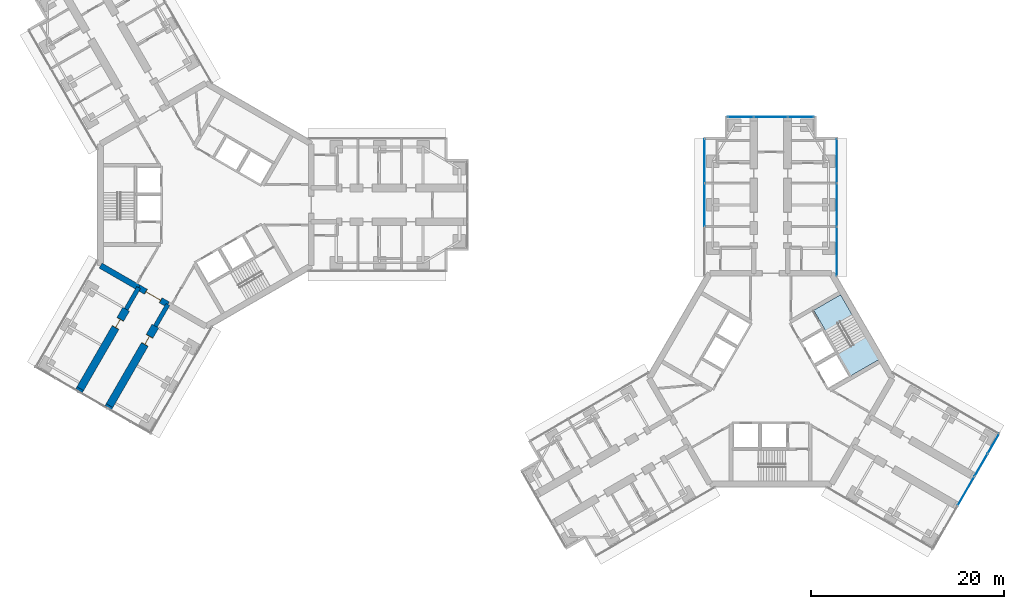
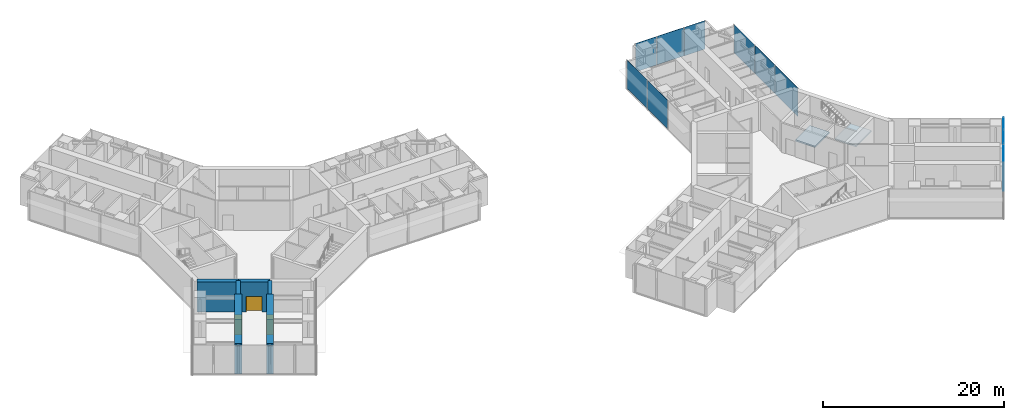
# One storey, part 14 of 22: 11 plates, 8 walls, 3 doors, 2 slabs, 3 openings, 5 elements without a shape of their own.
"""IFC4 building model written with IfcOpenShell, lengths in metres."""

from ifc_helpers import new_model, si_unit, direction, frame, frame_2d, origin, origin_2d, place, context, subcontext, project, spatial, polyline, rectangle, outline, extrude, material, layer, layer_set, type_object, element, fill, aggregate, save


model = new_model("IFC4")

# Units and contexts
model_context = context("Model", 3, precision=1e-05, world=origin(), true_north=direction((0.0, 1.0)))
body_context = subcontext(model_context, "Body", "Model", "MODEL_VIEW")
ifc_project = project(units=[si_unit("LENGTHUNIT", "METRE"), si_unit("AREAUNIT", "SQUARE_METRE"), si_unit("VOLUMEUNIT", "CUBIC_METRE"), si_unit("PLANEANGLEUNIT", "RADIAN"), si_unit("MASSUNIT", "GRAM", prefix="KILO")], contexts=[model_context])

# Site, building, storey
site_placement = place(None, origin())
site = spatial("IfcSite", under=ifc_project, at=site_placement, CompositionType="ELEMENT")
building_placement = place(site_placement, origin())
building = spatial("IfcBuilding", under=site, at=building_placement, Name="Upepo Twin Towers", CompositionType="ELEMENT")
storey_placement = place(building_placement, frame((0.0, 0.0, 137.5)))
storey = spatial("IfcBuildingStorey", under=building, at=storey_placement, Name="L33", CompositionType="ELEMENT", Elevation=137.5)

# Curtain wall, plates
ifc_material_1 = material(Name="Aluminium and fritted glass", Category="aluminium")
curtain_wall_type = type_object("IfcCurtainWallType", Name="Tower curtain wall TW2, fritted glass", PredefinedType="NOTDEFINED", material=ifc_material_1)
curtain_wall_1_placement = place(storey_placement, origin())
curtain_wall_1 = element("IfcCurtainWall", 1, at=curtain_wall_1_placement, inside=storey, type_object=curtain_wall_type, Name="T2 L33 wing A flank L curtain wall", PredefinedType="NOTDEFINED")
ifc_material_2 = material(Name="Ceramic-fritted laminated glass", Category="glass")
ifc_layer_1 = layer(ifc_material_2, 0.031982421875)
ifc_layer_set_1 = layer_set([ifc_layer_1], Name="Fritted glass panel, 40 per cent dot frit, 32 mm double glazed")
plate_type_1 = type_object("IfcPlateType", Name="Fritted glass panel, 40 per cent dot frit, 32 mm double glazed", PredefinedType="CURTAIN_PANEL", material=ifc_layer_set_1)
plate_1_placement = place(storey_placement, frame((51.64990234375, 0.0, 0.14990234375), z_axis=(0.0, 0.0, 1.0), x_axis=(0.0, 1.0, 0.0)))
plate_1 = element("IfcPlate", 2, at=plate_1_placement, type_object=plate_type_1, Name="T2 L33 wing A flank L curtain wall panel 2", PredefinedType="CURTAIN_PANEL", context=body_context, shape_type="SweptSolid", body=[
    extrude(rectangle(XDim=4.43505859375, YDim=0.031982421875, at=origin_2d()), origin(), (0.0, 0.0, 1.0), 3.85009765625),
])
plate_2_placement = place(storey_placement, frame((51.64990234375, 4.53369140625, 0.14990234375), z_axis=(0.0, 0.0, 1.0), x_axis=(0.0, 1.0, 0.0)))
plate_2 = element("IfcPlate", 3, at=plate_2_placement, type_object=plate_type_1, Name="T2 L33 wing A flank L curtain wall panel 3", PredefinedType="CURTAIN_PANEL", context=body_context, shape_type="SweptSolid", body=[
    extrude(rectangle(XDim=4.50244140625, YDim=0.031982421875, at=origin_2d()), origin(), (0.0, 0.0, 1.0), 3.85009765625),
])
aggregate(curtain_wall_1, [plate_1, plate_2])

curtain_wall_2_placement = place(storey_placement, origin())
curtain_wall_2 = element("IfcCurtainWall", 4, at=curtain_wall_2_placement, inside=storey, type_object=curtain_wall_type, Name="T2 L33 wing A flank R curtain wall", PredefinedType="NOTDEFINED")
plate_3_placement = place(storey_placement, frame((65.35009765625, 4.53369140625, 0.14990234375), z_axis=(0.0, 0.0, 1.0), x_axis=(0.0, -1.0, 0.0)))
plate_3 = element("IfcPlate", 5, at=plate_3_placement, type_object=plate_type_1, Name="T2 L33 wing A flank R curtain wall panel 1", PredefinedType="CURTAIN_PANEL", context=body_context, shape_type="SweptSolid", body=[
    extrude(rectangle(XDim=4.50244140625, YDim=0.031982421875, at=origin_2d()), origin(), (0.0, 0.0, 1.0), 3.85009765625),
])
plate_4_placement = place(storey_placement, frame((65.35009765625, 0.0, 0.14990234375), z_axis=(0.0, 0.0, 1.0), x_axis=(0.0, -1.0, 0.0)))
plate_4 = element("IfcPlate", 6, at=plate_4_placement, type_object=plate_type_1, Name="T2 L33 wing A flank R curtain wall panel 2", PredefinedType="CURTAIN_PANEL", context=body_context, shape_type="SweptSolid", body=[
    extrude(rectangle(XDim=4.43505859375, YDim=0.031982421875, at=origin_2d()), origin(), (0.0, 0.0, 1.0), 3.85009765625),
])
plate_5_placement = place(storey_placement, frame((65.35009765625, -4.815185546875, 0.14990234375), z_axis=(0.0, 0.0, 1.0), x_axis=(0.0, -1.0, 0.0)))
plate_5 = element("IfcPlate", 7, at=plate_5_placement, type_object=plate_type_1, Name="T2 L33 wing A flank R curtain wall panel 3", PredefinedType="CURTAIN_PANEL", context=body_context, shape_type="SweptSolid", body=[
    extrude(rectangle(XDim=5.0654296875, YDim=0.031982421875, at=origin_2d()), origin(), (0.0, 0.0, 1.0), 3.85009765625),
])
aggregate(curtain_wall_2, [plate_3, plate_4, plate_5])

# Curtain wall, plate
curtain_wall_3_placement = place(storey_placement, origin())
curtain_wall_3 = element("IfcCurtainWall", 8, at=curtain_wall_3_placement, inside=storey, type_object=curtain_wall_type, Name="T2 L33 wing A nose curtain wall", PredefinedType="NOTDEFINED")
plate_6_placement = place(storey_placement, frame((58.5, 9.10009765625, 0.14990234375), z_axis=(0.0, 0.0, 1.0), x_axis=(-1.0, 0.0, 0.0)))
plate_6 = element("IfcPlate", 9, at=plate_6_placement, type_object=plate_type_1, Name="T2 L33 wing A nose curtain wall panel 2", PredefinedType="CURTAIN_PANEL", context=body_context, shape_type="SweptSolid", body=[
    extrude(rectangle(XDim=3.43505859375, YDim=0.031982421875, at=origin_2d()), origin(), (0.0, 0.0, 1.0), 3.85009765625),
])

# Curtain wall, plates
curtain_wall_4_placement = place(storey_placement, origin())
curtain_wall_4 = element("IfcCurtainWall", 10, at=curtain_wall_4_placement, inside=storey, type_object=curtain_wall_type, Name="T2 L33 wing C nose curtain wall", PredefinedType="NOTDEFINED")
plate_7_placement = place(storey_placement, frame((78.7216796875, -29.675048828125, 0.14990234375), z_axis=(0.0, 0.0, 1.0), x_axis=(0.499999972355, 0.866025419745, 0.0)))
plate_7 = element("IfcPlate", 11, at=plate_7_placement, type_object=plate_type_1, Name="T2 L33 wing C nose curtain wall panel 3", PredefinedType="CURTAIN_PANEL", context=body_context, shape_type="SweptSolid", body=[
    extrude(rectangle(XDim=3.43505859375, YDim=0.031982421875, at=origin_2d()), origin(), (0.0, 0.0, 1.0), 3.85009765625),
])
plate_8_placement = place(storey_placement, frame((80.2841796875, -26.96875, 0.14990234375), z_axis=(0.0, 0.0, 1.0), x_axis=(0.499999972355, 0.866025419745, 0.0)))
plate_8 = element("IfcPlate", 12, at=plate_8_placement, type_object=plate_type_1, Name="T2 L33 wing C nose curtain wall panel 4", PredefinedType="CURTAIN_PANEL", context=body_context, shape_type="SweptSolid", body=[
    extrude(rectangle(XDim=2.68505859375, YDim=0.031982421875, at=origin_2d()), origin(), (0.0, 0.0, 1.0), 3.85009765625),
])

# Plate
ifc_material_3 = material(Name="Clear laminated glass in opening sash", Category="glass")
ifc_layer_2 = layer(ifc_material_3, 0.031982421875)
ifc_layer_set_2 = layer_set([ifc_layer_2], Name="Operable glass panel, 32 mm double glazed")
plate_type_2 = type_object("IfcPlateType", Name="Operable glass panel, 32 mm double glazed", PredefinedType="CURTAIN_PANEL", material=ifc_layer_set_2)
plate_9_placement = place(storey_placement, frame((61.608642578125, 9.10009765625, 0.14990234375), z_axis=(0.0, 0.0, 1.0), x_axis=(-1.0, 0.0, 0.0)))
plate_9 = element("IfcPlate", 13, at=plate_9_placement, type_object=plate_type_2, Name="T2 L33 wing A nose curtain wall panel 1", PredefinedType="CURTAIN_PANEL", context=body_context, shape_type="SweptSolid", body=[
    extrude(rectangle(XDim=2.652587890625, YDim=0.031982421875, at=origin_2d()), origin(), (0.0, 0.0, 1.0), 3.85009765625),
])

plate_10_placement = place(storey_placement, frame((55.391357421875, 9.10009765625, 0.14990234375), z_axis=(0.0, 0.0, 1.0), x_axis=(-1.0, 0.0, 0.0)))
plate_10 = element("IfcPlate", 14, at=plate_10_placement, type_object=plate_type_2, Name="T2 L33 wing A nose curtain wall panel 3", PredefinedType="CURTAIN_PANEL", context=body_context, shape_type="SweptSolid", body=[
    extrude(rectangle(XDim=2.652587890625, YDim=0.031982421875, at=origin_2d()), origin(), (0.0, 0.0, 1.0), 3.85009765625),
])

aggregate(curtain_wall_3, [plate_9, plate_6, plate_10])

plate_11_placement = place(storey_placement, frame((81.576171875, -24.73095703125, 0.14990234375), z_axis=(0.0, 0.0, 1.0), x_axis=(0.499999972355, 0.866025419745, 0.0)))
plate_11 = element("IfcPlate", 15, at=plate_11_placement, type_object=plate_type_2, Name="T2 L33 wing C nose curtain wall panel 5", PredefinedType="CURTAIN_PANEL", context=body_context, shape_type="SweptSolid", body=[
    extrude(rectangle(XDim=2.3525390625, YDim=0.031982421875, at=origin_2d()), origin(), (0.0, 0.0, 1.0), 3.85009765625),
])

aggregate(curtain_wall_4, [plate_7, plate_8, plate_11])

# Stair, slabs
ifc_material_4 = material(Name="Concrete C40/50", Category="concrete")
stair_type = type_object("IfcStairType", Name="Core stair, two flights", PredefinedType="HALF_TURN_STAIR", material=ifc_material_4)
stair_placement = place(storey_placement, origin())
stair = element("IfcStair", 16, at=stair_placement, inside=storey, type_object=stair_type, Name="T2 stair S2 L33", PredefinedType="HALF_TURN_STAIR")
ifc_material_5 = material(Name="Concrete C40/50", Category="concrete")
ifc_layer_3 = layer(ifc_material_5, 0.199951171875)
ifc_layer_set_3 = layer_set([ifc_layer_3], Name="Concrete C40/50")
slab_type = type_object("IfcSlabType", Name="Stair landing 200 RC", PredefinedType="LANDING", material=ifc_layer_set_3)
slab_1_placement = place(storey_placement, frame((0.0, 0.0, -0.199951171875)))
slab_1 = element("IfcSlab", 17, at=slab_1_placement, type_object=slab_type, Name="Stair S2 landing 1", PredefinedType="LANDING", context=body_context, shape_type="SweptSolid", body=[
    extrude(outline(polyline([(64.198486328125, -13.0703125), (66.97705078125, -11.466064453125), (65.737060546875, -9.318359375), (62.95849609375, -10.922607421875), (64.198486328125, -13.0703125)])), origin(), (0.0, 0.0, 1.0), 0.199951171875),
])
slab_2_placement = place(storey_placement, frame((0.0, 0.0, 1.800048828125)))
slab_2 = element("IfcSlab", 18, at=slab_2_placement, type_object=slab_type, Name="Stair S2 landing 2", PredefinedType="LANDING", context=body_context, shape_type="SweptSolid", body=[
    extrude(outline(polyline([(66.77197265625, -17.7275390625), (69.7236328125, -16.0234375), (68.36376953125, -13.667724609375), (65.411865234375, -15.371826171875), (66.77197265625, -17.7275390625)])), origin(), (0.0, 0.0, 1.0), 0.199951171875),
])
aggregate(stair, [slab_1, slab_2])

# Walls
ifc_material_6 = material(Name="Dense concrete blockwork", Category="masonry")
ifc_layer_4 = layer(ifc_material_6, 0.800048828125)
ifc_layer_set_4 = layer_set([ifc_layer_4], Name="Buttress closer 800, blockwork with fire-stopping to the curtain wall")
wall_type_1 = type_object("IfcWallType", Name="Buttress closer 800, blockwork with fire-stopping to the curtain wall", PredefinedType="PARTITIONING", material=ifc_layer_set_4)
for number, where, z_axis, x_axis, name in (
    (19, (-9.984375, -20.793701171875, 0.0), (0.0, 0.0, 1.0), (-0.500342721131, -0.865827443207, 0.0), "T1 L33 wing C buttress closer L"),
    (20, (-13.015625, -19.043701171875, 0.0), (0.0, 0.0, 1.0), (-0.500342721131, -0.865827443207, 0.0), "T1 L33 wing C buttress closer R"),
):
    element("IfcWall", number, at=place(storey_placement, frame(where, z_axis=z_axis, x_axis=x_axis)), inside=storey, type_object=wall_type_1, Name=name, PredefinedType="PARTITIONING", context=body_context, shape_type="SweptSolid", body=[
        extrude(rectangle(XDim=0.249755859375, YDim=0.800048828125, at=frame_2d((0.125, 0.0))), origin(), (0.0, 0.0, 1.0), 3.800048828125),
    ])
ifc_material_7 = material(Name="Concrete C60/75", Category="concrete")
ifc_layer_5 = layer(ifc_material_7, 0.449951171875)
ifc_layer_set_5 = layer_set([ifc_layer_5], Name="Concrete C60/75")
wall_type_2 = type_object("IfcWallType", Name="Buttress wall 450 RC", PredefinedType="SHEAR", material=ifc_layer_set_5)
for number, where, z_axis, x_axis, name in (
    (21, (-3.938720703125, -10.32177734375, 0.0), (0.0, 0.0, 1.0), (-0.499918158782, -0.866072649678, 0.0), "T1 wing C buttress wall L"),
    (22, (-6.9697265625, -8.57177734375, 0.0), (0.0, 0.0, 1.0), (-0.499988811324, -0.866031863473, 0.0), "T1 wing C buttress wall R"),
):
    element("IfcWall", number, at=place(storey_placement, frame(where, z_axis=z_axis, x_axis=x_axis)), inside=storey, type_object=wall_type_2, Name=name, PredefinedType="SHEAR", context=body_context, shape_type="SweptSolid", body=[
        extrude(rectangle(XDim=2.591796875, YDim=0.449951171875, at=frame_2d((1.2958984375, 0.0))), origin(), (0.0, 0.0, 1.0), 4.0),
    ])

# Wall, opening, door
ifc_material_8 = material(Name="Concrete C60/75", Category="concrete")
ifc_layer_6 = layer(ifc_material_8, 0.800048828125)
ifc_layer_set_6 = layer_set([ifc_layer_6], Name="Concrete C60/75")
wall_type_3 = type_object("IfcWallType", Name="Buttress wall 800 RC", PredefinedType="SHEAR", material=ifc_layer_set_6)
wall_1_placement = place(storey_placement, frame((-5.234375, -12.56640625, 0.0), z_axis=(0.0, 0.0, 1.0), x_axis=(-0.499997557548, -0.86602681393, 0.0)))
wall_1 = element("IfcWall", 23, at=wall_1_placement, inside=storey, type_object=wall_type_3, Name="T1 wing C buttress wall L part 2", PredefinedType="SHEAR", context=body_context, shape_type="SweptSolid", body=[
    extrude(rectangle(XDim=9.5, YDim=0.800048828125, at=frame_2d((4.75, 0.0))), origin(), (0.0, 0.0, 1.0), 4.0),
])
opening_1_placement = place(wall_1_placement, frame((1.199951171875, 0.0, 0.0)))
opening_1 = element("IfcOpeningElement", 24, at=opening_1_placement, cuts=wall_1, Name="Opening D1", PredefinedType="OPENING", context=body_context, shape_type="SweptSolid", body=[
    extrude(rectangle(XDim=1.0, YDim=2.10009765625, at=frame_2d((0.5, 1.050048828125))), frame((0.0, 0.409912109375, 0.0), z_axis=(0.0, -1.0, 0.0), x_axis=(1.0, 0.0, 0.0)), (0.0, 0.0, 1.0), 0.820068359375),
])
ifc_material_9 = material(Name="Timber doorset", Category="wood")
door_type_1 = type_object("IfcDoorType", Name="Room door 1000 FD30", OperationType="SINGLE_SWING_LEFT", PredefinedType="DOOR", material=ifc_material_9)
door_1_placement = place(opening_1_placement, origin())
door_1 = element("IfcDoor", 25, at=door_1_placement, inside=storey, type_object=door_type_1, Name="T1 L33 postgraduate office door", OperationType="SINGLE_SWING_LEFT", OverallHeight=2.10009765625, OverallWidth=1.0, PredefinedType="DOOR", context=body_context, shape_type="SweptSolid", body=[
    extrude(rectangle(XDim=0.92, YDim=2.06009765625, at=frame_2d((0.5, 1.030029296875))), frame((0.0, 0.02490234375, 0.0), z_axis=(0.0, -1.0, 0.0), x_axis=(1.0, 0.0, 0.0)), (0.0, 0.0, 1.0), 0.050048828125),
    extrude(rectangle(XDim=0.04, YDim=2.10009765625, at=frame_2d((0.02001953125, 1.050048828125))), frame((0.0, 0.39990234375, 0.0), z_axis=(0.0, -1.0, 0.0), x_axis=(1.0, 0.0, 0.0)), (0.0, 0.0, 1.0), 0.799560546875),
    extrude(rectangle(XDim=0.04, YDim=2.10009765625, at=frame_2d((0.97998046875, 1.050048828125))), frame((0.0, 0.39990234375, 0.0), z_axis=(0.0, -1.0, 0.0), x_axis=(1.0, 0.0, 0.0)), (0.0, 0.0, 1.0), 0.799560546875),
    extrude(rectangle(XDim=0.92, YDim=0.04, at=frame_2d((0.5, 2.080078125))), frame((0.0, 0.39990234375, 0.0), z_axis=(0.0, -1.0, 0.0), x_axis=(1.0, 0.0, 0.0)), (0.0, 0.0, 1.0), 0.799560546875),
])
fill(opening_1, door_1)

wall_2_placement = place(storey_placement, frame((-8.265625, -10.81640625, 0.0), z_axis=(0.0, 0.0, 1.0), x_axis=(-0.499997557548, -0.86602681393, 0.0)))
wall_2 = element("IfcWall", 26, at=wall_2_placement, inside=storey, type_object=wall_type_3, Name="T1 wing C buttress wall R part 2", PredefinedType="SHEAR", context=body_context, shape_type="SweptSolid", body=[
    extrude(rectangle(XDim=9.5, YDim=0.800048828125, at=frame_2d((4.75, 0.0))), origin(), (0.0, 0.0, 1.0), 4.0),
])
opening_2_placement = place(wall_2_placement, frame((1.199951171875, 0.0, 0.0)))
opening_2 = element("IfcOpeningElement", 27, at=opening_2_placement, cuts=wall_2, Name="Opening D1", PredefinedType="OPENING", context=body_context, shape_type="SweptSolid", body=[
    extrude(rectangle(XDim=1.0, YDim=2.10009765625, at=frame_2d((0.5, 1.050048828125))), frame((0.0, 0.409912109375, 0.0), z_axis=(0.0, -1.0, 0.0), x_axis=(1.0, 0.0, 0.0)), (0.0, 0.0, 1.0), 0.820068359375),
])
door_2_placement = place(opening_2_placement, origin())
door_2 = element("IfcDoor", 28, at=door_2_placement, inside=storey, type_object=door_type_1, Name="T1 L33 postgraduate office door", OperationType="SINGLE_SWING_LEFT", OverallHeight=2.10009765625, OverallWidth=1.0, PredefinedType="DOOR", context=body_context, shape_type="SweptSolid", body=[
    extrude(rectangle(XDim=0.92, YDim=2.06009765625, at=frame_2d((0.5, 1.030029296875))), frame((0.0, 0.02490234375, 0.0), z_axis=(0.0, -1.0, 0.0), x_axis=(1.0, 0.0, 0.0)), (0.0, 0.0, 1.0), 0.050048828125),
    extrude(rectangle(XDim=0.04, YDim=2.10009765625, at=frame_2d((0.02001953125, 1.050048828125))), frame((0.0, 0.39990234375, 0.0), z_axis=(0.0, -1.0, 0.0), x_axis=(1.0, 0.0, 0.0)), (0.0, 0.0, 1.0), 0.799560546875),
    extrude(rectangle(XDim=0.04, YDim=2.10009765625, at=frame_2d((0.97998046875, 1.050048828125))), frame((0.0, 0.39990234375, 0.0), z_axis=(0.0, -1.0, 0.0), x_axis=(1.0, 0.0, 0.0)), (0.0, 0.0, 1.0), 0.799560546875),
    extrude(rectangle(XDim=0.92, YDim=0.04, at=frame_2d((0.5, 2.080078125))), frame((0.0, 0.39990234375, 0.0), z_axis=(0.0, -1.0, 0.0), x_axis=(1.0, 0.0, 0.0)), (0.0, 0.0, 1.0), 0.799560546875),
])
fill(opening_2, door_2)

# Wall
ifc_material_10 = material(Name="Concrete C60/75", Category="concrete")
ifc_layer_7 = layer(ifc_material_10, 0.60009765625)
ifc_layer_set_7 = layer_set([ifc_layer_7], Name="Concrete C60/75")
wall_type_4 = type_object("IfcWallType", Name="Core wall 600 RC", PredefinedType="SHEAR", material=ifc_layer_set_7)
wall_3_placement = place(storey_placement, frame((-10.908447265625, -6.2978515625, 0.0), z_axis=(0.0, 0.0, 1.0), x_axis=(0.866034513004, -0.499984222037, 0.0)))
element("IfcWall", 29, at=wall_3_placement, inside=storey, type_object=wall_type_4, Name="T1 core wall 240 R", PredefinedType="SHEAR", context=body_context, shape_type="SweptSolid", body=[
    extrude(rectangle(XDim=4.548095703125, YDim=0.60009765625, at=frame_2d((2.27392578125, 0.0))), origin(), (0.0, 0.0, 1.0), 4.0),
])

# Wall, opening, door
wall_4_placement = place(storey_placement, frame((-6.9697265625, -8.57177734375, 0.0), z_axis=(0.0, 0.0, 1.0), x_axis=(0.866019471182, -0.500010275428, 0.0)))
wall_4 = element("IfcWall", 30, at=wall_4_placement, inside=storey, type_object=wall_type_4, Name="T1 core wall 240", PredefinedType="SHEAR", context=body_context, shape_type="SweptSolid", body=[
    extrude(rectangle(XDim=3.5, YDim=0.60009765625, at=frame_2d((1.75, 0.0))), origin(), (0.0, 0.0, 1.0), 4.0),
])
opening_3_placement = place(wall_4_placement, frame((0.85009765625, 0.0, 0.0)))
opening_3 = element("IfcOpeningElement", 31, at=opening_3_placement, cuts=wall_4, Name="Opening D2", PredefinedType="OPENING", context=body_context, shape_type="SweptSolid", body=[
    extrude(rectangle(XDim=1.800048828125, YDim=2.10009765625, at=frame_2d((0.89990234375, 1.050048828125))), frame((0.0, 0.31005859375, 0.0), z_axis=(0.0, -1.0, 0.0), x_axis=(1.0, 0.0, 0.0)), (0.0, 0.0, 1.0), 0.6201171875),
])
ifc_material_11 = material(Name="Timber doorset", Category="wood")
door_type_2 = type_object("IfcDoorType", Name="Corridor double door 1800 FD60", OperationType="DOUBLE_DOOR_DOUBLE_SWING", PredefinedType="DOOR", material=ifc_material_11)
door_3_placement = place(opening_3_placement, origin())
door_3 = element("IfcDoor", 32, at=door_3_placement, inside=storey, type_object=door_type_2, Name="T1 L33 wing C corridor door", OperationType="DOUBLE_DOOR_DOUBLE_SWING", OverallHeight=2.10009765625, OverallWidth=1.800048828125, PredefinedType="DOOR", context=body_context, shape_type="SweptSolid", body=[
    extrude(rectangle(XDim=1.720048828125, YDim=2.06009765625, at=frame_2d((0.89990234375, 1.030029296875))), frame((0.0, 0.02490234375, 0.0), z_axis=(0.0, -1.0, 0.0), x_axis=(1.0, 0.0, 0.0)), (0.0, 0.0, 1.0), 0.050048828125),
    extrude(rectangle(XDim=0.04, YDim=2.10009765625, at=frame_2d((0.02001953125, 1.050048828125))), frame((0.0, 0.2998046875, 0.0), z_axis=(0.0, -1.0, 0.0), x_axis=(1.0, 0.0, 0.0)), (0.0, 0.0, 1.0), 0.599609375),
    extrude(rectangle(XDim=0.04, YDim=2.10009765625, at=frame_2d((1.780029296875, 1.050048828125))), frame((0.0, 0.2998046875, 0.0), z_axis=(0.0, -1.0, 0.0), x_axis=(1.0, 0.0, 0.0)), (0.0, 0.0, 1.0), 0.599609375),
    extrude(rectangle(XDim=1.720048828125, YDim=0.04, at=frame_2d((0.89990234375, 2.080078125))), frame((0.0, 0.2998046875, 0.0), z_axis=(0.0, -1.0, 0.0), x_axis=(1.0, 0.0, 0.0)), (0.0, 0.0, 1.0), 0.599609375),
])
fill(opening_3, door_3)

save(model, "model.ifc")
